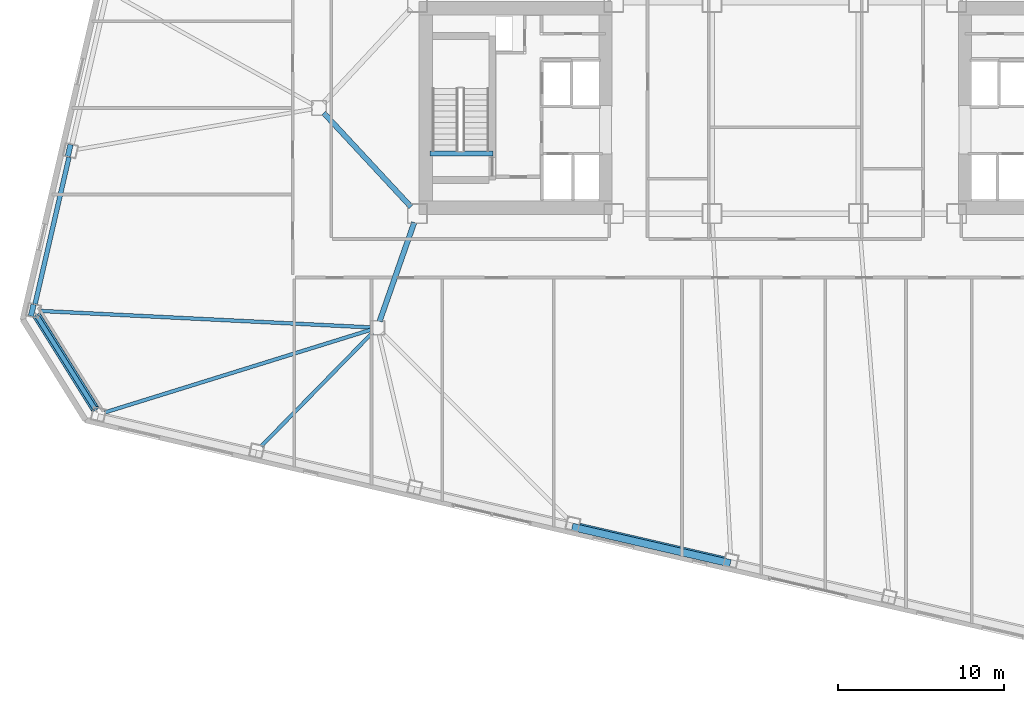
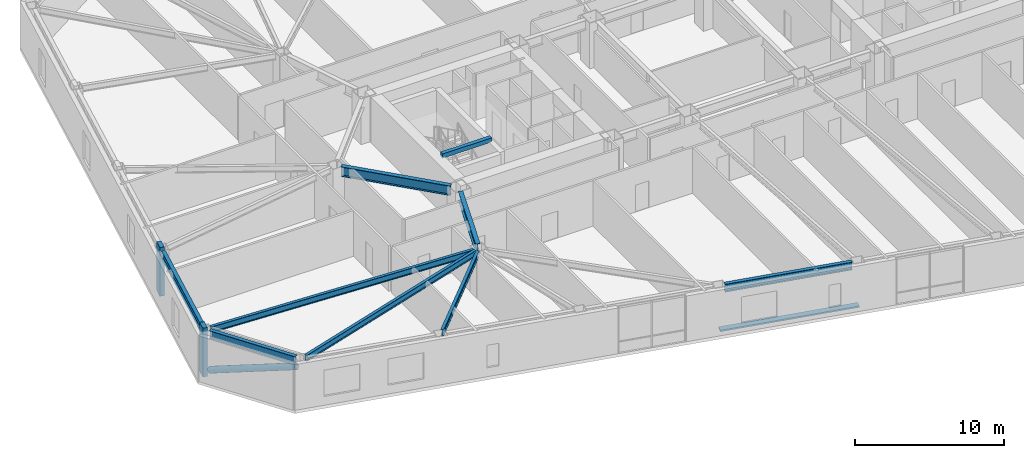
# One storey, part 5 of 23: 9 beams, 4 members.
"""IFC4 building model written with IfcOpenShell, lengths in metres."""

from ifc_helpers import new_model, si_unit, direction, frame, origin, origin_2d, place, context, subcontext, project, spatial, rectangle, hollow_circle, i_section, extrude, material, material_profile, profile_set, type_object, element, save


model = new_model("IFC4")

# Units and contexts
model_context = context("Model", 3, precision=1e-05, world=origin(), true_north=direction((0.0, 1.0)))
body_context = subcontext(model_context, "Body", "Model", "MODEL_VIEW")
ifc_project = project(units=[si_unit("LENGTHUNIT", "METRE"), si_unit("AREAUNIT", "SQUARE_METRE"), si_unit("VOLUMEUNIT", "CUBIC_METRE"), si_unit("PLANEANGLEUNIT", "RADIAN"), si_unit("MASSUNIT", "GRAM", prefix="KILO")], contexts=[model_context])

# Site, building, storey
site_placement = place(None, origin())
site = spatial("IfcSite", under=ifc_project, at=site_placement, CompositionType="ELEMENT")
building_placement = place(site_placement, origin())
building = spatial("IfcBuilding", under=site, at=building_placement, Name="Tavrogorsk Clinical Tower", CompositionType="ELEMENT")
storey_placement = place(building_placement, frame((0.0, 0.0, 63.39990234375)))
storey = spatial("IfcBuildingStorey", under=building, at=storey_placement, Name="L13", CompositionType="ELEMENT", Elevation=63.39990234375)

# Members
ifc_material_1 = material(Name="Anodised aluminium alloy AW-6063", Category="aluminium")
ifc_material_profile_1 = material_profile(ifc_material_1, rectangle(XDim=0.449951171875, YDim=0.1201171875, at=origin_2d()), Name="ALU-SUNSHADE-450x120")
ifc_profile_set_1 = profile_set([ifc_material_profile_1], Name="Anodised aluminium alloy AW-6063")
member_type_1 = type_object("IfcMemberType", Name="ChicagoSunshade_450x120", PredefinedType="USERDEFINED", material=ifc_profile_set_1)
member_1_placement = place(storey_placement, frame((-12.795654296875, -25.16015625, 0.18017578125), z_axis=(0.974366709214, -0.224965588425, 0.0), x_axis=(0.224965588425, 0.974366709214, 0.0)))
element("IfcMember", 1, at=member_1_placement, inside=storey, type_object=member_type_1, Name="L13 South Aluminium Sunshade S4", ObjectType="SUNSHADE", PredefinedType="USERDEFINED", context=body_context, shape_type="SweptSolid", body=[
    extrude(rectangle(XDim=0.449951171875, YDim=0.1201171875, at=origin_2d()), origin(), (0.0, 0.0, 1.0), 9.748779296875),
])
ifc_material_2 = material(Name="Structural steel S440", Category="steel")
ifc_material_profile_2 = material_profile(ifc_material_2, hollow_circle(Radius=0.25390625, WallThickness=0.02001953125, at=origin_2d()), Name="CHS-508x20")
ifc_profile_set_2 = profile_set([ifc_material_profile_2], Name="Structural steel S440")
member_type_2 = type_object("IfcMemberType", Name="ExoBrace_CHS508", PredefinedType="BRACE", material=ifc_profile_set_2)
member_2_placement = place(storey_placement, frame((-44.94580078125, -12.49365234375, 0.442626953125), z_axis=(0.496582474856, -0.794677778576, 0.349131886118), x_axis=(0.84804201203, 0.529929000746, 0.0)))
element("IfcMember", 2, at=member_2_placement, inside=storey, type_object=member_type_2, Name="L13 Corner Exoskeleton Brace W5-S1", PredefinedType="BRACE", context=body_context, shape_type="SweptSolid", body=[
    extrude(hollow_circle(Radius=0.25390625, WallThickness=0.02001953125, at=origin_2d()), origin(), (0.0, 0.0, 1.0), 7.031982421875),
])

# Beams
ifc_material_3 = material(Name="Structural steel S355", Category="steel")
ifc_material_profile_3 = material_profile(ifc_material_3, i_section(OverallWidth=0.219970703125, OverallDepth=0.5, WebThickness=0.012939453125, FlangeThickness=0.02001953125, at=origin_2d()), Name="B-500x220x13x20")
ifc_profile_set_3 = profile_set([ifc_material_profile_3], Name="Structural steel S355")
beam_type_1 = type_object("IfcBeamType", Name="FloorBeam_B500", PredefinedType="BEAM", material=ifc_profile_set_3)
beam_1_placement = place(storey_placement, frame((-24.8916015625, -13.32177734375, 3.489990234375), z_axis=(-0.954946638684, -0.296777555193, 0.0), x_axis=(0.296777555193, -0.954946638684, 0.0)))
element("IfcBeam", 3, at=beam_1_placement, inside=storey, type_object=beam_type_1, Name="L13 Radial Floor Beam S1", PredefinedType="BEAM", context=body_context, shape_type="SweptSolid", body=[
    extrude(i_section(OverallWidth=0.219970703125, OverallDepth=0.5, WebThickness=0.012939453125, FlangeThickness=0.02001953125, at=origin_2d()), origin(), (0.0, 0.0, 1.0), 16.723388671875),
])
beam_2_placement = place(storey_placement, frame((-24.787109375, -13.492919921875, 3.489990234375), z_axis=(-0.699997226081, -0.714145561828, 0.0), x_axis=(0.714145561828, -0.699997226081, 0.0)))
element("IfcBeam", 4, at=beam_2_placement, inside=storey, type_object=beam_type_1, Name="L13 Radial Floor Beam S2", PredefinedType="BEAM", context=body_context, shape_type="SweptSolid", body=[
    extrude(i_section(OverallWidth=0.219970703125, OverallDepth=0.5, WebThickness=0.012939453125, FlangeThickness=0.02001953125, at=origin_2d()), origin(), (0.0, 0.0, 1.0), 9.54248046875),
])
beam_3_placement = place(storey_placement, frame((-24.909423828125, -13.179443359375, 3.489990234375), z_axis=(-0.998757515428, 0.049833978136, 0.0), x_axis=(-0.049833978136, -0.998757515428, 0.0)))
element("IfcBeam", 5, at=beam_3_placement, inside=storey, type_object=beam_type_1, Name="L13 Radial Floor Beam W5", PredefinedType="BEAM", context=body_context, shape_type="SweptSolid", body=[
    extrude(i_section(OverallWidth=0.219970703125, OverallDepth=0.5, WebThickness=0.012939453125, FlangeThickness=0.02001953125, at=origin_2d()), origin(), (0.0, 0.0, 1.0), 19.85595703125),
])

# Members
ifc_material_4 = material(Name="Precast concrete B45 with limestone cladding", Category="masonry")
ifc_material_profile_4 = material_profile(ifc_material_4, rectangle(XDim=0.320068359375, YDim=0.719970703125, at=origin_2d()), Name="LIMESTONE-FIN-320x720")
ifc_profile_set_4 = profile_set([ifc_material_profile_4], Name="Precast concrete B45 with limestone cladding")
member_type_3 = type_object("IfcMemberType", Name="LimestonePleatFin_320x720", PredefinedType="USERDEFINED", material=ifc_profile_set_4)
for number, where, z_axis, x_axis, name in (
    (6, (-43.008056640625, -2.544189453125, 0.0), (0.0, 0.0, 1.0), (0.974370064785, -0.224951054344, 0.0), "L13 W Pleated Stone Fin 3"),
    (7, (-45.226318359375, -12.151611328125, 0.0), (0.0, 0.0, 1.0), (0.974370064785, -0.224951054344, 0.0), "L13 W Pleated Stone Fin 4"),
):
    element("IfcMember", number, at=place(storey_placement, frame(where, z_axis=z_axis, x_axis=x_axis)), inside=storey, type_object=member_type_3, Name=name, ObjectType="FIN", PredefinedType="USERDEFINED", context=body_context, shape_type="SweptSolid", body=[
        extrude(rectangle(XDim=0.320068359375, YDim=0.719970703125, at=origin_2d()), origin(), (0.0, 0.0, 1.0), 4.0),
    ])

# Beams
ifc_material_5 = material(Name="Structural steel S390", Category="steel")
ifc_material_profile_5 = material_profile(ifc_material_5, i_section(OverallWidth=0.320068359375, OverallDepth=0.800048828125, WebThickness=0.02001953125, FlangeThickness=0.033935546875, at=origin_2d()), Name="B-800x320x20x34")
ifc_profile_set_5 = profile_set([ifc_material_profile_5], Name="Structural steel S390")
beam_type_2 = type_object("IfcBeamType", Name="PrimaryGirder_B800", PredefinedType="USERDEFINED", material=ifc_profile_set_5)
beam_4_placement = place(storey_placement, frame((-24.364501953125, -12.81298828125, 3.340087890625), z_axis=(0.330668611543, 0.943746930771, 0.0), x_axis=(-0.943746930771, 0.330668611543, 0.0)))
element("IfcBeam", 8, at=beam_4_placement, inside=storey, type_object=beam_type_2, Name="L13 Spine Link Girder OPG-1", ObjectType="GIRDER", PredefinedType="USERDEFINED", context=body_context, shape_type="SweptSolid", body=[
    extrude(i_section(OverallWidth=0.320068359375, OverallDepth=0.800048828125, WebThickness=0.02001953125, FlangeThickness=0.033935546875, at=origin_2d()), origin(), (0.0, 0.0, 1.0), 6.288330078125),
])
beam_5_placement = place(storey_placement, frame((-27.720947265625, -0.30029296875, 3.340087890625), z_axis=(0.680671250221, -0.732589004233, 0.0), x_axis=(0.732589004233, 0.680671250221, 0.0)))
element("IfcBeam", 9, at=beam_5_placement, inside=storey, type_object=beam_type_2, Name="L13 Spine Link Girder OPG-5", ObjectType="GIRDER", PredefinedType="USERDEFINED", context=body_context, shape_type="SweptSolid", body=[
    extrude(i_section(OverallWidth=0.320068359375, OverallDepth=0.800048828125, WebThickness=0.02001953125, FlangeThickness=0.033935546875, at=origin_2d()), origin(), (0.0, 0.0, 1.0), 7.697998046875),
])
ifc_material_6 = material(Name="Structural steel S390", Category="steel")
ifc_material_profile_6 = material_profile(ifc_material_6, i_section(OverallWidth=0.280029296875, OverallDepth=0.64990234375, WebThickness=0.01611328125, FlangeThickness=0.02490234375, at=origin_2d()), Name="B-650x280x16x25")
ifc_profile_set_6 = profile_set([ifc_material_profile_6], Name="Structural steel S390")
beam_type_3 = type_object("IfcBeamType", Name="SpandrelBeam_B650", PredefinedType="SPANDREL", material=ifc_profile_set_6)
beam_6_placement = place(storey_placement, frame((-12.357666015625, -25.07666015625, 3.4150390625), z_axis=(0.974372766602, -0.224939351168, 0.0), x_axis=(0.224939351168, 0.974372766602, 0.0)))
element("IfcBeam", 10, at=beam_6_placement, inside=storey, type_object=beam_type_3, Name="L13 Perimeter Spandrel S4-S5", PredefinedType="SPANDREL", context=body_context, shape_type="SweptSolid", body=[
    extrude(i_section(OverallWidth=0.280029296875, OverallDepth=0.64990234375, WebThickness=0.01611328125, FlangeThickness=0.02490234375, at=origin_2d()), origin(), (0.0, 0.0, 1.0), 8.9326171875),
])
beam_7_placement = place(storey_placement, frame((-43.02197265625, -2.959716796875, 3.4150390625), z_axis=(-0.224971881043, -0.974365256328, 0.0), x_axis=(0.974365256328, -0.224971881043, 0.0)))
element("IfcBeam", 11, at=beam_7_placement, inside=storey, type_object=beam_type_3, Name="L13 Perimeter Spandrel W4-W5", PredefinedType="SPANDREL", context=body_context, shape_type="SweptSolid", body=[
    extrude(i_section(OverallWidth=0.280029296875, OverallDepth=0.64990234375, WebThickness=0.01611328125, FlangeThickness=0.02490234375, at=origin_2d()), origin(), (0.0, 0.0, 1.0), 9.044189453125),
])
beam_8_placement = place(storey_placement, frame((-44.93212890625, -12.515380859375, 3.4150390625), z_axis=(0.529908311255, -0.848054940238, 0.0), x_axis=(0.848054940238, 0.529908311255, 0.0)))
element("IfcBeam", 12, at=beam_8_placement, inside=storey, type_object=beam_type_3, Name="L13 Perimeter Spandrel W5-S1", PredefinedType="SPANDREL", context=body_context, shape_type="SweptSolid", body=[
    extrude(i_section(OverallWidth=0.280029296875, OverallDepth=0.64990234375, WebThickness=0.01611328125, FlangeThickness=0.02490234375, at=origin_2d()), origin(), (0.0, 0.0, 1.0), 6.5380859375),
])
ifc_material_7 = material(Name="Concrete B60", Category="concrete")
ifc_material_profile_7 = material_profile(ifc_material_7, rectangle(XDim=0.300048828125, YDim=0.35009765625, at=origin_2d()), Name="RC-SHB-300x350")
ifc_profile_set_7 = profile_set([ifc_material_profile_7], Name="Concrete B60")
beam_type_4 = type_object("IfcBeamType", Name="StairHeaderBeam_RC300x350", PredefinedType="BEAM", material=ifc_profile_set_7)
beam_9_placement = place(storey_placement, frame((-21.35009765625, -2.719970703125, 3.8251953125), z_axis=(1.0, 0.0, 0.0), x_axis=(0.0, 1.0, 0.0)))
element("IfcBeam", 13, at=beam_9_placement, inside=storey, type_object=beam_type_4, Name="L14 ST-W Landing Header Beam", PredefinedType="BEAM", context=body_context, shape_type="SweptSolid", body=[
    extrude(rectangle(XDim=0.300048828125, YDim=0.35009765625, at=origin_2d()), origin(), (0.0, 0.0, 1.0), 3.800048828125),
])

save(model, "model.ifc")
